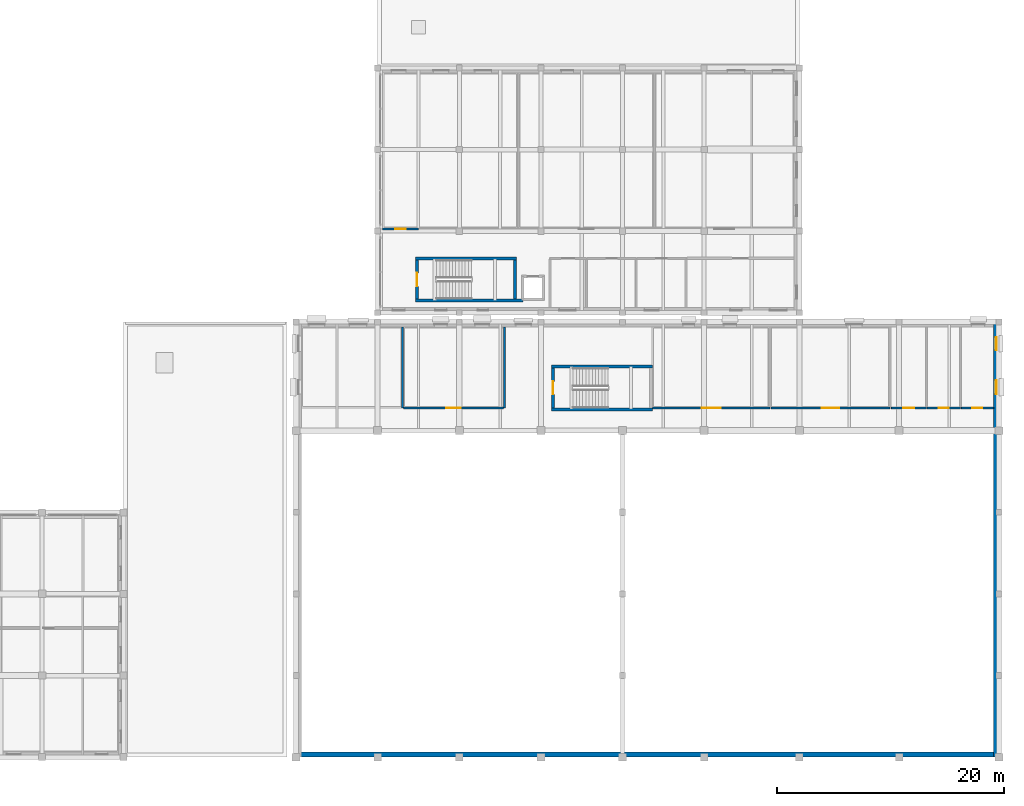
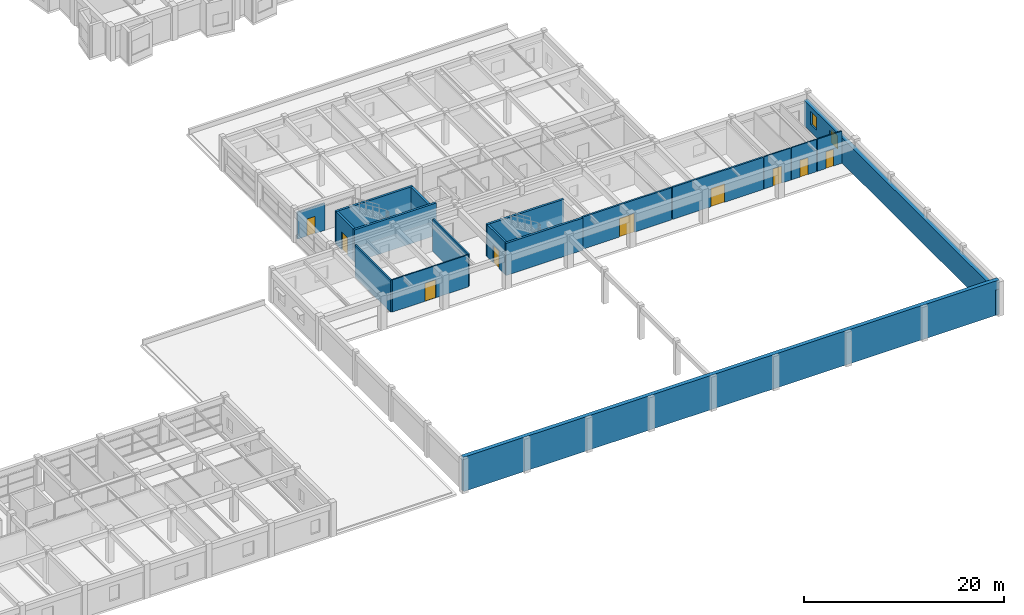
# One storey, part 52 of 67: 18 walls, 9 doors, 2 windows, 11 openings.
"""IFC4 building model written with IfcOpenShell, lengths in metres."""

from ifc_helpers import new_model, si_unit, direction, frame, frame_2d, origin, place, context, subcontext, project, spatial, rectangle, extrude, material, layer, layer_set, type_object, element, fill, save


model = new_model("IFC4")

# Units and contexts
model_context = context("Model", 3, precision=1e-05, world=origin(), true_north=direction((0.0, 1.0)))
body_context = subcontext(model_context, "Body", "Model", "MODEL_VIEW")
ifc_project = project(units=[si_unit("LENGTHUNIT", "METRE"), si_unit("AREAUNIT", "SQUARE_METRE"), si_unit("VOLUMEUNIT", "CUBIC_METRE"), si_unit("PLANEANGLEUNIT", "RADIAN"), si_unit("MASSUNIT", "GRAM", prefix="KILO")], contexts=[model_context])

# Site, building, storey
site_placement = place(None, origin())
site = spatial("IfcSite", under=ifc_project, at=site_placement, CompositionType="ELEMENT")
building_placement = place(site_placement, origin())
building = spatial("IfcBuilding", under=site, at=building_placement, Name="Bramveld Media Centre", CompositionType="ELEMENT")
storey_placement = place(building_placement, frame((0.0, 0.0, 5.39990234375)))
storey = spatial("IfcBuildingStorey", under=building, at=storey_placement, Name="L01", CompositionType="ELEMENT", Elevation=5.39990234375)

# Walls
ifc_material_1 = material(Name="Concrete C40/50 stair & lift core wall", Category="concrete")
ifc_layer_1 = layer(ifc_material_1, 0.25)
ifc_layer_set_1 = layer_set([ifc_layer_1], Name="Concrete C40/50 stair & lift core wall")
wall_type_1 = type_object("IfcWallType", Name="CWALL-SHEAR-250", PredefinedType="SHEAR", material=ifc_layer_set_1)
for number, where, z_axis, x_axis, name in (
    (1, (146.550048828125, 30.675048828125, 0.0), (0.0, 0.0, 1.0), (1.0, 0.0, 0.0), "ST-03 L01 stair core shear wall S"),
    (2, (155.449951171875, 34.47509765625, 0.0), (0.0, 0.0, 1.0), (-1.0, 0.0, 0.0), "ST-03 L01 stair core shear wall N"),
):
    element("IfcWall", number, at=place(storey_placement, frame(where, z_axis=z_axis, x_axis=x_axis)), inside=storey, type_object=wall_type_1, Name=name, PredefinedType="SHEAR", context=body_context, shape_type="SweptSolid", body=[
        extrude(rectangle(XDim=8.89990234375, YDim=0.25, at=frame_2d((4.449951171875, 0.0))), origin(), (0.0, 0.0, 1.0), 3.940185546875),
    ])

# Wall, opening, door
wall_1_placement = place(storey_placement, frame((146.675048828125, 34.35009765625, 0.0), z_axis=(0.0, 0.0, 1.0), x_axis=(0.0, -1.0, 0.0)))
wall_1 = element("IfcWall", 3, at=wall_1_placement, inside=storey, type_object=wall_type_1, Name="ST-03 L01 stair core shear wall W", PredefinedType="SHEAR", context=body_context, shape_type="SweptSolid", body=[
    extrude(rectangle(XDim=3.550048828125, YDim=0.25, at=frame_2d((1.77490234375, 0.0))), origin(), (0.0, 0.0, 1.0), 3.940185546875),
])
opening_1_placement = place(wall_1_placement, frame((1.199951171875, 0.0, 0.0)))
opening_1 = element("IfcOpeningElement", 4, at=opening_1_placement, cuts=wall_1, Name="Opening SD-03-L01", PredefinedType="OPENING", context=body_context, shape_type="SweptSolid", body=[
    extrude(rectangle(XDim=1.14990234375, YDim=2.14990234375, at=frame_2d((0.574951171875, 1.074951171875))), frame((0.0, 0.136962890625, 0.0), z_axis=(0.0, -1.0, 0.0), x_axis=(1.0, 0.0, 0.0)), (0.0, 0.0, 1.0), 0.27392578125),
])
ifc_material_2 = material(Name="Painted galvanized steel acoustic fire door with intumescent smoke seals", Category="steel")
door_type_1 = type_object("IfcDoorType", Name="DR-ST-1150", OperationType="NOTDEFINED", PredefinedType="DOOR", material=ifc_material_2)
door_1_placement = place(opening_1_placement, origin())
door_1 = element("IfcDoor", 5, at=door_1_placement, inside=storey, type_object=door_type_1, Name="ST-03 L01 pressurized stair fire door", OperationType="SINGLE_SWING_RIGHT", OverallHeight=2.14990234375, OverallWidth=1.14990234375, PredefinedType="DOOR", context=body_context, shape_type="SweptSolid", body=[
    extrude(rectangle(XDim=1.14990234375, YDim=2.14990234375, at=frame_2d((0.574951171875, 1.074951171875))), frame((0.0, 0.02490234375, 0.0), z_axis=(0.0, -1.0, 0.0), x_axis=(1.0, 0.0, 0.0)), (0.0, 0.0, 1.0), 0.050048828125),
])
fill(opening_1, door_1)

# Walls
wall_2_placement = place(storey_placement, frame((134.550048828125, 40.27490234375, 0.0), z_axis=(0.0, 0.0, 1.0), x_axis=(1.0, 0.0, 0.0)))
element("IfcWall", 6, at=wall_2_placement, inside=storey, type_object=wall_type_1, Name="ST-08 L01 stair core shear wall S", PredefinedType="SHEAR", context=body_context, shape_type="SweptSolid", body=[
    extrude(rectangle(XDim=9.469970703125, YDim=0.25, at=frame_2d((4.73486328125, 0.0))), origin(), (0.0, 0.0, 1.0), 3.960205078125),
])
wall_3_placement = place(storey_placement, frame((143.449951171875, 43.97509765625, 0.0), z_axis=(0.0, 0.0, 1.0), x_axis=(-1.0, 0.0, 0.0)))
element("IfcWall", 7, at=wall_3_placement, inside=storey, type_object=wall_type_1, Name="ST-08 L01 stair core shear wall N", PredefinedType="SHEAR", context=body_context, shape_type="SweptSolid", body=[
    extrude(rectangle(XDim=8.89990234375, YDim=0.25, at=frame_2d((4.449951171875, 0.0))), origin(), (0.0, 0.0, 1.0), 3.960205078125),
])

# Wall, opening, door
wall_4_placement = place(storey_placement, frame((134.675048828125, 43.85009765625, 0.0), z_axis=(0.0, 0.0, 1.0), x_axis=(0.0, -1.0, 0.0)))
wall_4 = element("IfcWall", 8, at=wall_4_placement, inside=storey, type_object=wall_type_1, Name="ST-08 L01 stair core shear wall W", PredefinedType="SHEAR", context=body_context, shape_type="SweptSolid", body=[
    extrude(rectangle(XDim=3.4501953125, YDim=0.25, at=frame_2d((1.72509765625, 0.0))), origin(), (0.0, 0.0, 1.0), 3.960205078125),
])
opening_2_placement = place(wall_4_placement, frame((1.125, 0.0, 0.0)))
opening_2 = element("IfcOpeningElement", 9, at=opening_2_placement, cuts=wall_4, Name="Opening SD-08-L01", PredefinedType="OPENING", context=body_context, shape_type="SweptSolid", body=[
    extrude(rectangle(XDim=1.199951171875, YDim=2.14990234375, at=frame_2d((0.60009765625, 1.074951171875))), frame((0.0, 0.136962890625, 0.0), z_axis=(0.0, -1.0, 0.0), x_axis=(1.0, 0.0, 0.0)), (0.0, 0.0, 1.0), 0.27392578125),
])
ifc_material_3 = material(Name="Painted galvanized steel acoustic fire door with intumescent smoke seals", Category="steel")
door_type_2 = type_object("IfcDoorType", Name="DR-ST-1200", OperationType="NOTDEFINED", PredefinedType="DOOR", material=ifc_material_3)
door_2_placement = place(opening_2_placement, origin())
door_2 = element("IfcDoor", 10, at=door_2_placement, inside=storey, type_object=door_type_2, Name="ST-08 L01 pressurized stair fire door", OperationType="SINGLE_SWING_RIGHT", OverallHeight=2.14990234375, OverallWidth=1.199951171875, PredefinedType="DOOR", context=body_context, shape_type="SweptSolid", body=[
    extrude(rectangle(XDim=1.199951171875, YDim=2.14990234375, at=frame_2d((0.60009765625, 1.074951171875))), frame((0.0, 0.02490234375, 0.0), z_axis=(0.0, -1.0, 0.0), x_axis=(1.0, 0.0, 0.0)), (0.0, 0.0, 1.0), 0.050048828125),
])
fill(opening_2, door_2)

# Walls
wall_5_placement = place(storey_placement, frame((143.324951171875, 40.39990234375, 0.0), z_axis=(0.0, 0.0, 1.0), x_axis=(0.0, 1.0, 0.0)))
element("IfcWall", 11, at=wall_5_placement, inside=storey, type_object=wall_type_1, Name="ST-08 L01 stair core shear wall E", PredefinedType="SHEAR", context=body_context, shape_type="SweptSolid", body=[
    extrude(rectangle(XDim=3.4501953125, YDim=0.25, at=frame_2d((1.72509765625, 0.0))), origin(), (0.0, 0.0, 1.0), 3.960205078125),
])
ifc_material_4 = material(Name="Flemish red-brown clay facing brick cavity wall with concrete C35/45 inner leaf", Category="masonry")
ifc_layer_2 = layer(ifc_material_4, 0.4599609375)
ifc_layer_set_2 = layer_set([ifc_layer_2], Name="Flemish red-brown clay facing brick cavity wall with concrete C35/45 inner leaf")
wall_type_2 = type_object("IfcWallType", Name="EW-BRK-460", PredefinedType="SOLIDWALL", material=ifc_layer_set_2)
wall_6_placement = place(storey_placement, frame((186.0, 0.22998046875, 0.0), z_axis=(0.0, 0.0, 1.0), x_axis=(-1.0, 0.0, 0.0)))
element("IfcWall", 12, at=wall_6_placement, inside=storey, type_object=wall_type_2, Name="V1 L01 S facing brick exterior wall", PredefinedType="SOLIDWALL", context=body_context, shape_type="SweptSolid", body=[
    extrude(rectangle(XDim=62.0, YDim=0.4599609375, at=frame_2d((31.0, 0.0))), origin(), (0.0, 0.0, 1.0), 4.2001953125),
])

# Wall, openings, windows
wall_7_placement = place(storey_placement, frame((185.77001953125, 38.39990234375, 0.0), z_axis=(0.0, 0.0, 1.0), x_axis=(0.0, -1.0, 0.0)))
wall_7 = element("IfcWall", 13, at=wall_7_placement, inside=storey, type_object=wall_type_2, Name="V1 L01 E facing brick exterior wall", PredefinedType="SOLIDWALL", context=body_context, shape_type="SweptSolid", body=[
    extrude(rectangle(XDim=38.39990234375, YDim=0.4599609375, at=frame_2d((19.199951171875, 0.0))), origin(), (0.0, 0.0, 1.0), 3.09521484375),
])
opening_3_placement = place(wall_7_placement, frame((1.344970703125, 0.0, 0.89990234375)))
opening_3 = element("IfcOpeningElement", 14, at=opening_3_placement, cuts=wall_7, Name="Opening W-15", PredefinedType="OPENING", context=body_context, shape_type="SweptSolid", body=[
    extrude(rectangle(XDim=1.14990234375, YDim=1.60009765625, at=frame_2d((0.574951171875, 0.800048828125))), frame((0.0, 0.241943359375, 0.0), z_axis=(0.0, -1.0, 0.0), x_axis=(1.0, 0.0, 0.0)), (0.0, 0.0, 1.0), 0.48388671875),
])
opening_4_placement = place(wall_7_placement, frame((5.135009765625, 0.0, 0.89990234375)))
opening_4 = element("IfcOpeningElement", 15, at=opening_4_placement, cuts=wall_7, Name="Opening W-16", PredefinedType="OPENING", context=body_context, shape_type="SweptSolid", body=[
    extrude(rectangle(XDim=1.25, YDim=1.60009765625, at=frame_2d((0.625, 0.800048828125))), frame((0.0, 0.241943359375, 0.0), z_axis=(0.0, -1.0, 0.0), x_axis=(1.0, 0.0, 0.0)), (0.0, 0.0, 1.0), 0.48388671875),
])
ifc_material_5 = material(Name="Thermally broken anodized bronze aluminium frame with triple acoustic glazing", Category="aluminium")
window_type_1 = type_object("IfcWindowType", Name="WIN-FAC-15", PartitioningType="SINGLE_PANEL", PredefinedType="WINDOW", material=ifc_material_5)
window_1_placement = place(opening_3_placement, origin())
window_1 = element("IfcWindow", 16, at=window_1_placement, inside=storey, type_object=window_type_1, Name="V1 L01 E acoustic facade window", OverallHeight=1.60009765625, OverallWidth=1.14990234375, PartitioningType="SINGLE_PANEL", PredefinedType="WINDOW", context=body_context, shape_type="SweptSolid", body=[
    extrude(rectangle(XDim=1.14990234375, YDim=1.60009765625, at=frame_2d((0.574951171875, 0.800048828125))), frame((0.0, 0.030029296875, 0.0), z_axis=(0.0, -1.0, 0.0), x_axis=(1.0, 0.0, 0.0)), (0.0, 0.0, 1.0), 0.06005859375),
])
fill(opening_3, window_1)
ifc_material_6 = material(Name="Thermally broken anodized bronze aluminium frame with triple acoustic glazing", Category="aluminium")
window_type_2 = type_object("IfcWindowType", Name="WIN-FAC-16", PartitioningType="SINGLE_PANEL", PredefinedType="WINDOW", material=ifc_material_6)
window_2_placement = place(opening_4_placement, origin())
window_2 = element("IfcWindow", 17, at=window_2_placement, inside=storey, type_object=window_type_2, Name="V1 L01 E acoustic facade window", OverallHeight=1.60009765625, OverallWidth=1.25, PartitioningType="SINGLE_PANEL", PredefinedType="WINDOW", context=body_context, shape_type="SweptSolid", body=[
    extrude(rectangle(XDim=1.25, YDim=1.60009765625, at=frame_2d((0.625, 0.800048828125))), frame((0.0, 0.030029296875, 0.0), z_axis=(0.0, -1.0, 0.0), x_axis=(1.0, 0.0, 0.0)), (0.0, 0.0, 1.0), 0.06005859375),
])
fill(opening_4, window_2)

# Wall, opening, door
ifc_material_7 = material(Name="Acoustic calcium-silicate & mineral-wool compartment partition", Category="masonry")
ifc_layer_3 = layer(ifc_material_7, 0.199951171875)
ifc_layer_set_3 = layer_set([ifc_layer_3], Name="Acoustic calcium-silicate & mineral-wool compartment partition")
wall_type_3 = type_object("IfcWallType", Name="IW-ACOU-200", PredefinedType="PARTITIONING", material=ifc_layer_set_3)
wall_8_placement = place(storey_placement, frame((155.4599609375, 30.800048828125, 0.0), z_axis=(0.0, 0.0, 1.0), x_axis=(1.0, 0.0, 0.0)))
wall_8 = element("IfcWall", 18, at=wall_8_placement, inside=storey, type_object=wall_type_3, Name="35mm & 70mm Archival Projection Booth 1 partition wall", PredefinedType="PARTITIONING", context=body_context, shape_type="SweptSolid", body=[
    extrude(rectangle(XDim=10.340087890625, YDim=0.199951171875, at=frame_2d((5.169921875, 0.0))), origin(), (0.0, 0.0, 1.0), 3.940185546875),
])
opening_5_placement = place(wall_8_placement, frame((4.330078125, 0.0, 0.0)))
opening_5 = element("IfcOpeningElement", 19, at=opening_5_placement, cuts=wall_8, Name="Opening D-01-050", PredefinedType="OPENING", context=body_context, shape_type="SweptSolid", body=[
    extrude(rectangle(XDim=1.679931640625, YDim=2.300048828125, at=frame_2d((0.83984375, 1.14990234375))), frame((0.0, 0.11181640625, 0.0), z_axis=(0.0, -1.0, 0.0), x_axis=(1.0, 0.0, 0.0)), (0.0, 0.0, 1.0), 0.223876953125),
])
ifc_material_8 = material(Name="Fire-rated acoustic timber & steel composite door", Category="steel")
door_type_3 = type_object("IfcDoorType", Name="DR-HALL-1680", OperationType="NOTDEFINED", PredefinedType="DOOR", material=ifc_material_8)
door_3_placement = place(opening_5_placement, origin())
door_3 = element("IfcDoor", 20, at=door_3_placement, inside=storey, type_object=door_type_3, Name="35mm & 70mm Archival Projection Booth 1 entrance door", OperationType="DOUBLE_DOOR_SINGLE_SWING", OverallHeight=2.300048828125, OverallWidth=1.679931640625, PredefinedType="DOOR", context=body_context, shape_type="SweptSolid", body=[
    extrude(rectangle(XDim=1.679931640625, YDim=2.300048828125, at=frame_2d((0.83984375, 1.14990234375))), frame((0.0, 0.02490234375, 0.0), z_axis=(0.0, -1.0, 0.0), x_axis=(1.0, 0.0, 0.0)), (0.0, 0.0, 1.0), 0.050048828125),
])
fill(opening_5, door_3)

wall_9_placement = place(storey_placement, frame((165.909912109375, 30.800048828125, 0.0), z_axis=(0.0, 0.0, 1.0), x_axis=(1.0, 0.0, 0.0)))
wall_9 = element("IfcWall", 21, at=wall_9_placement, inside=storey, type_object=wall_type_3, Name="Digital Laser Projection & Audio Rack Room partition wall", PredefinedType="PARTITIONING", context=body_context, shape_type="SweptSolid", body=[
    extrude(rectangle(XDim=10.489990234375, YDim=0.199951171875, at=frame_2d((5.2451171875, 0.0))), origin(), (0.0, 0.0, 1.0), 3.940185546875),
])
opening_6_placement = place(wall_9_placement, frame((4.465087890625, 0.0, 0.0)))
opening_6 = element("IfcOpeningElement", 22, at=opening_6_placement, cuts=wall_9, Name="Opening D-01-051", PredefinedType="OPENING", context=body_context, shape_type="SweptSolid", body=[
    extrude(rectangle(XDim=1.56005859375, YDim=2.25, at=frame_2d((0.780029296875, 1.125))), frame((0.0, 0.11181640625, 0.0), z_axis=(0.0, -1.0, 0.0), x_axis=(1.0, 0.0, 0.0)), (0.0, 0.0, 1.0), 0.223876953125),
])
ifc_material_9 = material(Name="Fire-rated acoustic timber & steel composite door", Category="steel")
door_type_4 = type_object("IfcDoorType", Name="DR-HALL-1560", OperationType="NOTDEFINED", PredefinedType="DOOR", material=ifc_material_9)
door_4_placement = place(opening_6_placement, origin())
door_4 = element("IfcDoor", 23, at=door_4_placement, inside=storey, type_object=door_type_4, Name="Digital Laser Projection & Audio Rack Room entrance door", OperationType="DOUBLE_DOOR_SINGLE_SWING", OverallHeight=2.25, OverallWidth=1.56005859375, PredefinedType="DOOR", context=body_context, shape_type="SweptSolid", body=[
    extrude(rectangle(XDim=1.56005859375, YDim=2.25, at=frame_2d((0.780029296875, 1.125))), frame((0.0, 0.02490234375, 0.0), z_axis=(0.0, -1.0, 0.0), x_axis=(1.0, 0.0, 0.0)), (0.0, 0.0, 1.0), 0.050048828125),
])
fill(opening_6, door_4)

# Walls
ifc_material_10 = material(Name="Fire-rated twin-frame gypsum corridor wall", Category="gypsum")
ifc_layer_4 = layer(ifc_material_10, 0.179931640625)
ifc_layer_set_4 = layer_set([ifc_layer_4], Name="Fire-rated twin-frame gypsum corridor wall")
wall_type_4 = type_object("IfcWallType", Name="IW-FIRE-180", PredefinedType="PARTITIONING", material=ifc_layer_set_4)
for number, where, z_axis, x_axis, name in (
    (24, (142.39990234375, 30.800048828125, 0.0), (0.0, 0.0, 1.0), (0.0, 1.0, 0.0), "Stair ST-03 L01 Landing Lobby partition wall"),
    (25, (133.39990234375, 30.800048828125, 0.0), (0.0, 0.0, 1.0), (0.0, 1.0, 0.0), "Cinema Balcony Circulation Lobby partition wall"),
):
    element("IfcWall", number, at=place(storey_placement, frame(where, z_axis=z_axis, x_axis=x_axis)), inside=storey, type_object=wall_type_4, Name=name, PredefinedType="PARTITIONING", context=body_context, shape_type="SweptSolid", body=[
        extrude(rectangle(XDim=7.1298828125, YDim=0.179931640625, at=frame_2d((3.56494140625, 0.0))), origin(), (0.0, 0.0, 1.0), 3.940185546875),
    ])

# Wall, opening, door
wall_10_placement = place(storey_placement, frame((131.614990234375, 46.60009765625, 0.0), z_axis=(0.0, 0.0, 1.0), x_axis=(1.0, 0.0, 0.0)))
wall_10 = element("IfcWall", 26, at=wall_10_placement, inside=storey, type_object=wall_type_4, Name="Stair ST-08 L01 Landing Lobby partition wall", PredefinedType="PARTITIONING", context=body_context, shape_type="SweptSolid", body=[
    extrude(rectangle(XDim=3.18505859375, YDim=0.179931640625, at=frame_2d((1.592529296875, 0.0))), origin(), (0.0, 0.0, 1.0), 3.28515625),
])
opening_7_placement = place(wall_10_placement, frame((1.132568359375, 0.0, 0.0)))
opening_7 = element("IfcOpeningElement", 27, at=opening_7_placement, cuts=wall_10, Name="Opening D-01-068", PredefinedType="OPENING", context=body_context, shape_type="SweptSolid", body=[
    extrude(rectangle(XDim=0.919921875, YDim=2.080078125, at=frame_2d((0.4599609375, 1.0400390625))), frame((0.0, 0.10205078125, 0.0), z_axis=(0.0, -1.0, 0.0), x_axis=(1.0, 0.0, 0.0)), (0.0, 0.0, 1.0), 0.203857421875),
])
ifc_material_11 = material(Name="Solid-core European oak acoustic timber leaf in steel frame", Category="steel")
door_type_5 = type_object("IfcDoorType", Name="DR-RM-0920", OperationType="NOTDEFINED", PredefinedType="DOOR", material=ifc_material_11)
door_5_placement = place(opening_7_placement, origin())
door_5 = element("IfcDoor", 28, at=door_5_placement, inside=storey, type_object=door_type_5, Name="DI Colour-Timing Theatre 1 entrance door", OperationType="SINGLE_SWING_RIGHT", OverallHeight=2.080078125, OverallWidth=0.919921875, PredefinedType="DOOR", context=body_context, shape_type="SweptSolid", body=[
    extrude(rectangle(XDim=0.919921875, YDim=2.080078125, at=frame_2d((0.4599609375, 1.0400390625))), frame((0.0, 0.02490234375, 0.0), z_axis=(0.0, -1.0, 0.0), x_axis=(1.0, 0.0, 0.0)), (0.0, 0.0, 1.0), 0.050048828125),
])
fill(opening_7, door_5)

ifc_material_12 = material(Name="Insulated metal-stud gypsum room partition", Category="gypsum")
ifc_layer_5 = layer(ifc_material_12, 0.14990234375)
ifc_layer_set_5 = layer_set([ifc_layer_5], Name="Insulated metal-stud gypsum room partition")
wall_type_5 = type_object("IfcWallType", Name="IW-PART-150", PredefinedType="PARTITIONING", material=ifc_layer_set_5)
wall_11_placement = place(storey_placement, frame((133.5, 30.800048828125, 0.0), z_axis=(0.0, 0.0, 1.0), x_axis=(1.0, 0.0, 0.0)))
wall_11 = element("IfcWall", 29, at=wall_11_placement, inside=storey, type_object=wall_type_5, Name="Simultaneous Interpretation Booths partition wall", PredefinedType="PARTITIONING", context=body_context, shape_type="SweptSolid", body=[
    extrude(rectangle(XDim=8.800048828125, YDim=0.14990234375, at=frame_2d((4.39990234375, 0.0))), origin(), (0.0, 0.0, 1.0), 3.940185546875),
])
opening_8_placement = place(wall_11_placement, frame((3.760009765625, 0.0, 0.0)))
opening_8 = element("IfcOpeningElement", 30, at=opening_8_placement, cuts=wall_11, Name="Opening D-01-049", PredefinedType="OPENING", context=body_context, shape_type="SweptSolid", body=[
    extrude(rectangle(XDim=1.280029296875, YDim=2.199951171875, at=frame_2d((0.64013671875, 1.10009765625))), frame((0.0, 0.0869140625, 0.0), z_axis=(0.0, -1.0, 0.0), x_axis=(1.0, 0.0, 0.0)), (0.0, 0.0, 1.0), 0.173828125),
])
ifc_material_13 = material(Name="Fire-rated acoustic timber & steel composite door", Category="steel")
door_type_6 = type_object("IfcDoorType", Name="DR-STU-1280", OperationType="NOTDEFINED", PredefinedType="DOOR", material=ifc_material_13)
door_6_placement = place(opening_8_placement, origin())
door_6 = element("IfcDoor", 31, at=door_6_placement, inside=storey, type_object=door_type_6, Name="Simultaneous Interpretation Booths entrance door", OperationType="SINGLE_SWING_LEFT", OverallHeight=2.199951171875, OverallWidth=1.280029296875, PredefinedType="DOOR", context=body_context, shape_type="SweptSolid", body=[
    extrude(rectangle(XDim=1.280029296875, YDim=2.199951171875, at=frame_2d((0.64013671875, 1.10009765625))), frame((0.0, 0.02490234375, 0.0), z_axis=(0.0, -1.0, 0.0), x_axis=(1.0, 0.0, 0.0)), (0.0, 0.0, 1.0), 0.050048828125),
])
fill(opening_8, door_6)

ifc_material_14 = material(Name="Moisture-resistant cement-board sanitary partition", Category="gypsum")
ifc_layer_6 = layer(ifc_material_14, 0.139892578125)
ifc_layer_set_6 = layer_set([ifc_layer_6], Name="Moisture-resistant cement-board sanitary partition")
wall_type_6 = type_object("IfcWallType", Name="IW-WET-140", PredefinedType="PARTITIONING", material=ifc_layer_set_6)
wall_12_placement = place(storey_placement, frame((176.510009765625, 30.800048828125, 0.0), z_axis=(0.0, 0.0, 1.0), x_axis=(1.0, 0.0, 0.0)))
wall_12 = element("IfcWall", 32, at=wall_12_placement, inside=storey, type_object=wall_type_6, Name="Accessible WC partition wall", PredefinedType="PARTITIONING", context=body_context, shape_type="SweptSolid", body=[
    extrude(rectangle(XDim=3.090087890625, YDim=0.139892578125, at=frame_2d((1.544921875, 0.0))), origin(), (0.0, 0.0, 1.0), 3.940185546875),
])
opening_9_placement = place(wall_12_placement, frame((1.044921875, 0.0, 0.0)))
opening_9 = element("IfcOpeningElement", 33, at=opening_9_placement, cuts=wall_12, Name="Opening D-01-052", PredefinedType="OPENING", context=body_context, shape_type="SweptSolid", body=[
    extrude(rectangle(XDim=1.0, YDim=2.10009765625, at=frame_2d((0.5, 1.050048828125))), frame((0.0, 0.08203125, 0.0), z_axis=(0.0, -1.0, 0.0), x_axis=(1.0, 0.0, 0.0)), (0.0, 0.0, 1.0), 0.163818359375),
])
ifc_material_15 = material(Name="Solid-core European oak acoustic timber leaf in steel frame", Category="steel")
door_type_7 = type_object("IfcDoorType", Name="DR-WC-PMR-1000", OperationType="NOTDEFINED", PredefinedType="DOOR", material=ifc_material_15)
door_7_placement = place(opening_9_placement, origin())
door_7 = element("IfcDoor", 34, at=door_7_placement, inside=storey, type_object=door_type_7, Name="Accessible WC entrance door", OperationType="SINGLE_SWING_RIGHT", OverallHeight=2.10009765625, OverallWidth=1.0, PredefinedType="DOOR", context=body_context, shape_type="SweptSolid", body=[
    extrude(rectangle(XDim=1.0, YDim=2.10009765625, at=frame_2d((0.5, 1.050048828125))), frame((0.0, 0.02490234375, 0.0), z_axis=(0.0, -1.0, 0.0), x_axis=(1.0, 0.0, 0.0)), (0.0, 0.0, 1.0), 0.050048828125),
])
fill(opening_9, door_7)

wall_13_placement = place(storey_placement, frame((179.679931640625, 30.800048828125, 0.0), z_axis=(0.0, 0.0, 1.0), x_axis=(1.0, 0.0, 0.0)))
wall_13 = element("IfcWall", 35, at=wall_13_placement, inside=storey, type_object=wall_type_6, Name="Male WC partition wall", PredefinedType="PARTITIONING", context=body_context, shape_type="SweptSolid", body=[
    extrude(rectangle(XDim=2.920166015625, YDim=0.139892578125, at=frame_2d((1.4599609375, 0.0))), origin(), (0.0, 0.0, 1.0), 3.940185546875),
])
opening_10_placement = place(wall_13_placement, frame((1.0048828125, 0.0, 0.0)))
opening_10 = element("IfcOpeningElement", 36, at=opening_10_placement, cuts=wall_13, Name="Opening D-01-053", PredefinedType="OPENING", context=body_context, shape_type="SweptSolid", body=[
    extrude(rectangle(XDim=0.909912109375, YDim=2.06005859375, at=frame_2d((0.455078125, 1.030029296875))), frame((0.0, 0.08203125, 0.0), z_axis=(0.0, -1.0, 0.0), x_axis=(1.0, 0.0, 0.0)), (0.0, 0.0, 1.0), 0.163818359375),
])
ifc_material_16 = material(Name="Solid-core European oak acoustic timber leaf in steel frame", Category="steel")
door_type_8 = type_object("IfcDoorType", Name="DR-WC-0910", OperationType="NOTDEFINED", PredefinedType="DOOR", material=ifc_material_16)
door_8_placement = place(opening_10_placement, origin())
door_8 = element("IfcDoor", 37, at=door_8_placement, inside=storey, type_object=door_type_8, Name="Male WC entrance door", OperationType="SINGLE_SWING_LEFT", OverallHeight=2.06005859375, OverallWidth=0.909912109375, PredefinedType="DOOR", context=body_context, shape_type="SweptSolid", body=[
    extrude(rectangle(XDim=0.909912109375, YDim=2.06005859375, at=frame_2d((0.455078125, 1.030029296875))), frame((0.0, 0.02490234375, 0.0), z_axis=(0.0, -1.0, 0.0), x_axis=(1.0, 0.0, 0.0)), (0.0, 0.0, 1.0), 0.050048828125),
])
fill(opening_10, door_8)

wall_14_placement = place(storey_placement, frame((182.679931640625, 30.800048828125, 0.0), z_axis=(0.0, 0.0, 1.0), x_axis=(1.0, 0.0, 0.0)))
wall_14 = element("IfcWall", 38, at=wall_14_placement, inside=storey, type_object=wall_type_6, Name="Female WC partition wall", PredefinedType="PARTITIONING", context=body_context, shape_type="SweptSolid", body=[
    extrude(rectangle(XDim=2.85009765625, YDim=0.139892578125, at=frame_2d((1.425048828125, 0.0))), origin(), (0.0, 0.0, 1.0), 3.940185546875),
])
opening_11_placement = place(wall_14_placement, frame((0.97998046875, 0.0, 0.0)))
opening_11 = element("IfcOpeningElement", 39, at=opening_11_placement, cuts=wall_14, Name="Opening D-01-054", PredefinedType="OPENING", context=body_context, shape_type="SweptSolid", body=[
    extrude(rectangle(XDim=0.889892578125, YDim=2.050048828125, at=frame_2d((0.44482421875, 1.02490234375))), frame((0.0, 0.08203125, 0.0), z_axis=(0.0, -1.0, 0.0), x_axis=(1.0, 0.0, 0.0)), (0.0, 0.0, 1.0), 0.163818359375),
])
ifc_material_17 = material(Name="Solid-core European oak acoustic timber leaf in steel frame", Category="steel")
door_type_9 = type_object("IfcDoorType", Name="DR-WC-0890", OperationType="NOTDEFINED", PredefinedType="DOOR", material=ifc_material_17)
door_9_placement = place(opening_11_placement, origin())
door_9 = element("IfcDoor", 40, at=door_9_placement, inside=storey, type_object=door_type_9, Name="Female WC entrance door", OperationType="SINGLE_SWING_RIGHT", OverallHeight=2.050048828125, OverallWidth=0.889892578125, PredefinedType="DOOR", context=body_context, shape_type="SweptSolid", body=[
    extrude(rectangle(XDim=0.889892578125, YDim=2.050048828125, at=frame_2d((0.44482421875, 1.02490234375))), frame((0.0, 0.02490234375, 0.0), z_axis=(0.0, -1.0, 0.0), x_axis=(1.0, 0.0, 0.0)), (0.0, 0.0, 1.0), 0.050048828125),
])
fill(opening_11, door_9)

save(model, "model.ifc")
